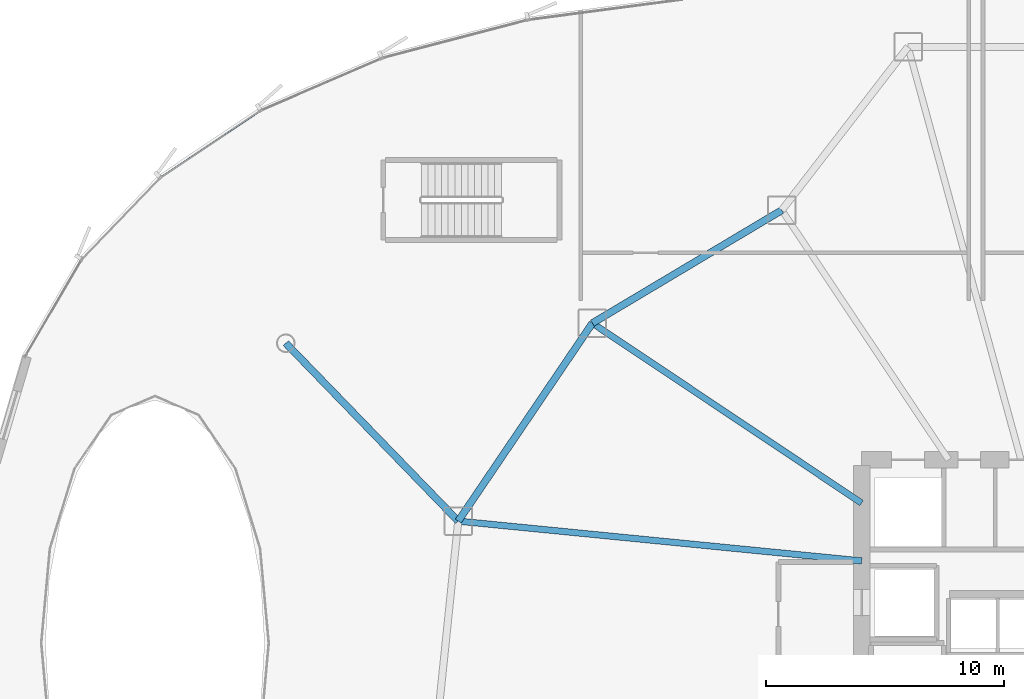
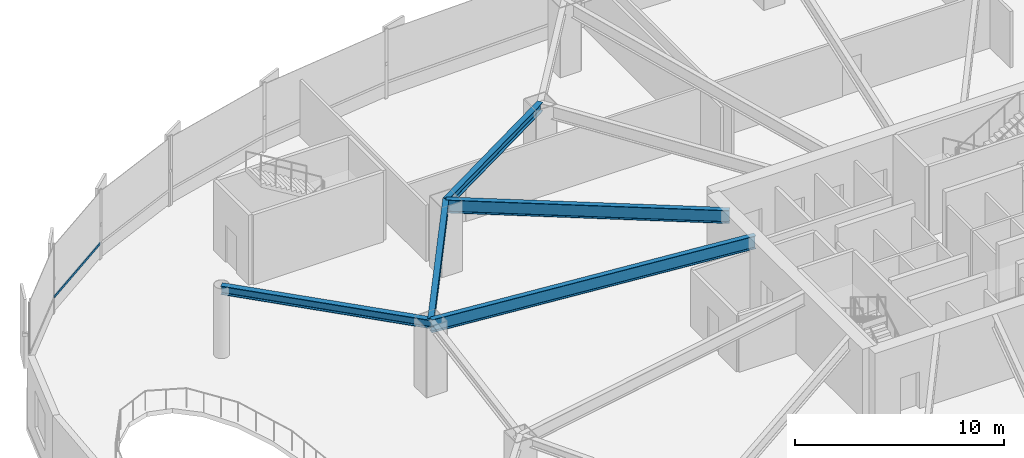
# One storey, part 11 of 34: 5 beams, 1 member, 1 element without a shape of its own.
"""IFC4 building model written with IfcOpenShell, lengths in metres."""

from ifc_helpers import new_model, si_unit, direction, frame, origin, origin_2d, place, context, subcontext, project, spatial, hollow_rectangle, i_section, extrude, source, transform, mapped, material, layer, layer_set, material_profile, profile_set, type_object, element, aggregate, save


model = new_model("IFC4")

# Units and contexts
model_context = context("Model", 3, precision=1e-05, world=origin(), true_north=direction((0.0, 1.0)))
body_context = subcontext(model_context, "Body", "Model", "MODEL_VIEW")
ifc_project = project(units=[si_unit("LENGTHUNIT", "METRE"), si_unit("AREAUNIT", "SQUARE_METRE"), si_unit("VOLUMEUNIT", "CUBIC_METRE"), si_unit("PLANEANGLEUNIT", "RADIAN"), si_unit("MASSUNIT", "GRAM", prefix="KILO"), si_unit("THERMODYNAMICTEMPERATUREUNIT", "KELVIN")], contexts=[model_context])

# Site, building, storey
site_placement = place(None, origin())
site = spatial("IfcSite", under=ifc_project, at=site_placement, CompositionType="ELEMENT")
building_placement = place(site_placement, origin())
building = spatial("IfcBuilding", under=site, at=building_placement, Name="Kethvar Cultural Tower", CompositionType="ELEMENT")
storey_placement = place(building_placement, frame((0.0, 0.0, 19.60009765625)))
storey = spatial("IfcBuildingStorey", under=building, at=storey_placement, Name="L04", CompositionType="ELEMENT", Elevation=19.60009765625)

# Beams
ifc_material_1 = material(Name="Steel S355J2", Category="steel")
ifc_material_profile_1 = material_profile(ifc_material_1, i_section(OverallWidth=0.300048828125, OverallDepth=0.5, WebThickness=0.014404296875, FlangeThickness=0.028076171875, FilletRadius=0.027099609375, at=origin_2d()), Name="Steel S355J2 — HEB500")
ifc_profile_set_1 = profile_set([ifc_material_profile_1], Name="Steel S355J2 — HEB500")
beam_type_1 = type_object("IfcBeamType", Name="BM-SP500", PredefinedType="SPANDREL", material=ifc_profile_set_1)
shared_shape_1 = source(origin(), body_context, "Body", "SweptSolid", [
    extrude(i_section(OverallWidth=0.300048828125, OverallDepth=0.5, WebThickness=0.014404296875, FlangeThickness=0.028076171875, FilletRadius=0.027099609375, at=origin_2d()), origin(), (0.0, 0.0, 1.0), 9.270263671875),
])
beam_1_placement = place(storey_placement, frame((34.64599609375, 45.98974609375, 3.827880859375), z_axis=(-0.858814626354, -0.51228647997, 0.0), x_axis=(0.51228647997, -0.858814626354, 0.0)))
element("IfcBeam", 1, at=beam_1_placement, inside=storey, type_object=beam_type_1, Name="L04 Podium Ring Beam 06", PredefinedType="SPANDREL", context=body_context, shape_type="MappedRepresentation", body=[
    mapped(shared_shape_1, transform((0.0, 0.0, 0.0), scale=1.0)),
])
shared_shape_2 = source(origin(), body_context, "Body", "SweptSolid", [
    extrude(i_section(OverallWidth=0.300048828125, OverallDepth=0.5, WebThickness=0.014404296875, FlangeThickness=0.028076171875, FilletRadius=0.027099609375, at=origin_2d()), origin(), (0.0, 0.0, 1.0), 10.048583984375),
])
beam_2_placement = place(storey_placement, frame((26.6845703125, 41.24072265625, 3.827880859375), z_axis=(-0.561025415443, -0.827798576483, 0.0), x_axis=(0.827798576483, -0.561025415443, 0.0)))
element("IfcBeam", 2, at=beam_2_placement, inside=storey, type_object=beam_type_1, Name="L04 Podium Ring Beam 07", PredefinedType="SPANDREL", context=body_context, shape_type="MappedRepresentation", body=[
    mapped(shared_shape_2, transform((0.0, 0.0, 0.0), scale=1.0)),
])
shared_shape_3 = source(origin(), body_context, "Body", "SweptSolid", [
    extrude(i_section(OverallWidth=0.300048828125, OverallDepth=0.5, WebThickness=0.014404296875, FlangeThickness=0.028076171875, FilletRadius=0.027099609375, at=origin_2d()), origin(), (0.0, 0.0, 1.0), 10.4130859375),
])
beam_3_placement = place(storey_placement, frame((13.800048828125, 40.39990234375, 3.827880859375), z_axis=(0.695965659729, -0.718075066047, 0.0), x_axis=(0.718075066047, 0.695965659729, 0.0)))
element("IfcBeam", 3, at=beam_3_placement, inside=storey, type_object=beam_type_1, Name="L04 West Atrium Wing Beam 02", PredefinedType="SPANDREL", context=body_context, shape_type="MappedRepresentation", body=[
    mapped(shared_shape_3, transform((0.0, 0.0, 0.0), scale=1.0)),
])
ifc_material_profile_2 = material_profile(ifc_material_1, i_section(OverallWidth=0.26708984375, OverallDepth=0.761962890625, WebThickness=0.014404296875, FlangeThickness=0.021484375, FilletRadius=0.01708984375, at=origin_2d()), Name="Steel S355J2 — IPE750x173")
ifc_profile_set_2 = profile_set([ifc_material_profile_2], Name="Steel S355J2 — IPE750x173")
beam_type_2 = type_object("IfcBeamType", Name="BM-IPE750", PredefinedType="BEAM", material=ifc_profile_set_2)
shared_shape_4 = source(origin(), body_context, "Body", "SweptSolid", [
    extrude(i_section(OverallWidth=0.26708984375, OverallDepth=0.761962890625, WebThickness=0.014404296875, FlangeThickness=0.021484375, FilletRadius=0.01708984375, at=origin_2d()), origin(), (0.0, 0.0, 1.0), 13.60888671875),
])
beam_4_placement = place(storey_placement, frame((38.0, 33.679931640625, 3.697021484375), z_axis=(-0.831467486755, 0.555573414113, 0.0), x_axis=(-0.555573414113, -0.831467486755, 0.0)))
element("IfcBeam", 4, at=beam_4_placement, inside=storey, type_object=beam_type_2, Name="L04 Podium Radial Girder 07", PredefinedType="BEAM", context=body_context, shape_type="MappedRepresentation", body=[
    mapped(shared_shape_4, transform((0.0, 0.0, 0.0), scale=1.0)),
])
shared_shape_5 = source(origin(), body_context, "Body", "SweptSolid", [
    extrude(i_section(OverallWidth=0.26708984375, OverallDepth=0.761962890625, WebThickness=0.014404296875, FlangeThickness=0.021484375, FilletRadius=0.01708984375, at=origin_2d()), origin(), (0.0, 0.0, 1.0), 17.03515625),
])
beam_5_placement = place(storey_placement, frame((38.0, 31.25, 3.697021484375), z_axis=(-0.995168138859, 0.098185413375, 0.0), x_axis=(-0.098185413375, -0.995168138859, 0.0)))
element("IfcBeam", 5, at=beam_5_placement, inside=storey, type_object=beam_type_2, Name="L04 Podium Radial Girder 08", PredefinedType="BEAM", context=body_context, shape_type="MappedRepresentation", body=[
    mapped(shared_shape_5, transform((0.0, 0.0, 0.0), scale=1.0)),
])

# Curtain wall, member
ifc_material_2 = material(Name="Aluminium 6063-T6", Category="aluminium")
ifc_layer = layer(ifc_material_2, 0.179931640625, Name="Aluminium 6063-T6", Category="aluminium")
ifc_layer_set = layer_set([ifc_layer], Name="Aluminium 6063-T6 (180 mm)")
curtain_wall_type = type_object("IfcCurtainWallType", Name="CW-SYS-01-POD", PredefinedType="NOTDEFINED", material=ifc_layer_set)
curtain_wall_placement = place(storey_placement, origin())
curtain_wall = element("IfcCurtainWall", 6, at=curtain_wall_placement, inside=storey, type_object=curtain_wall_type, Name="L04 Curtain Wall Run 03", PredefinedType="NOTDEFINED")
ifc_material_profile_3 = material_profile(ifc_material_2, hollow_rectangle(XDim=0.06005859375, YDim=0.139892578125, WallThickness=0.0048828125, at=origin_2d()), Name="Aluminium 6063-T6 — RHS140x60x5")
ifc_profile_set_3 = profile_set([ifc_material_profile_3], Name="Aluminium 6063-T6 — RHS140x60x5")
member_type = type_object("IfcMemberType", Name="CW-SYS-01-POD-TRN", PredefinedType="USERDEFINED", material=ifc_profile_set_3)
shared_shape_6 = source(origin(), body_context, "Body", "SweptSolid", [
    extrude(hollow_rectangle(XDim=0.06005859375, YDim=0.139892578125, WallThickness=0.0048828125, at=origin_2d()), origin(), (0.0, 0.0, 1.0), 4.991455078125),
])
member_placement = place(storey_placement, frame((12.701171875, 50.14599609375, 0.949951171875), z_axis=(-0.830806616573, -0.556561196867, 0.0), x_axis=(0.556561196867, -0.830806616573, 0.0)))
member = element("IfcMember", 7, at=member_placement, type_object=member_type, Name="CW-L04-R03 Transom 2", ObjectType="TRANSOM", PredefinedType="USERDEFINED", context=body_context, shape_type="MappedRepresentation", body=[
    mapped(shared_shape_6, transform((0.0, 0.0, 0.0), scale=1.0)),
])
aggregate(curtain_wall, [member])

save(model, "model.ifc")
